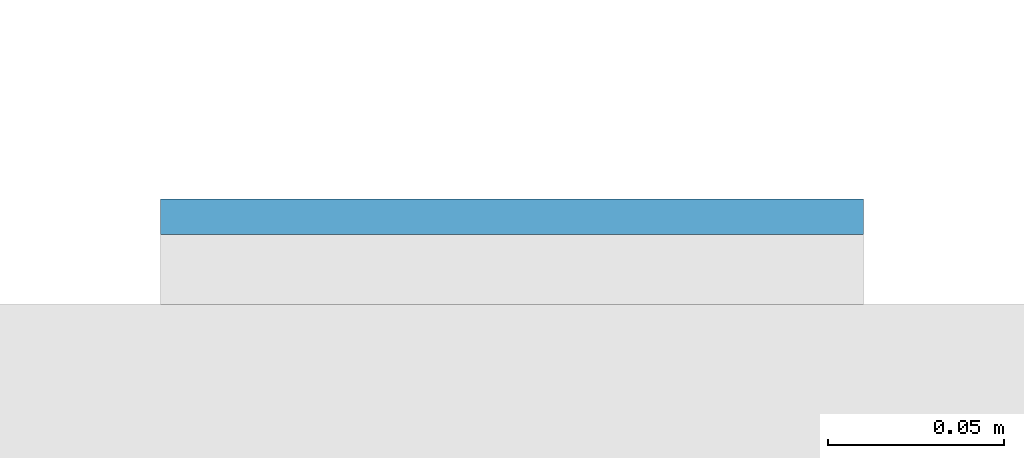
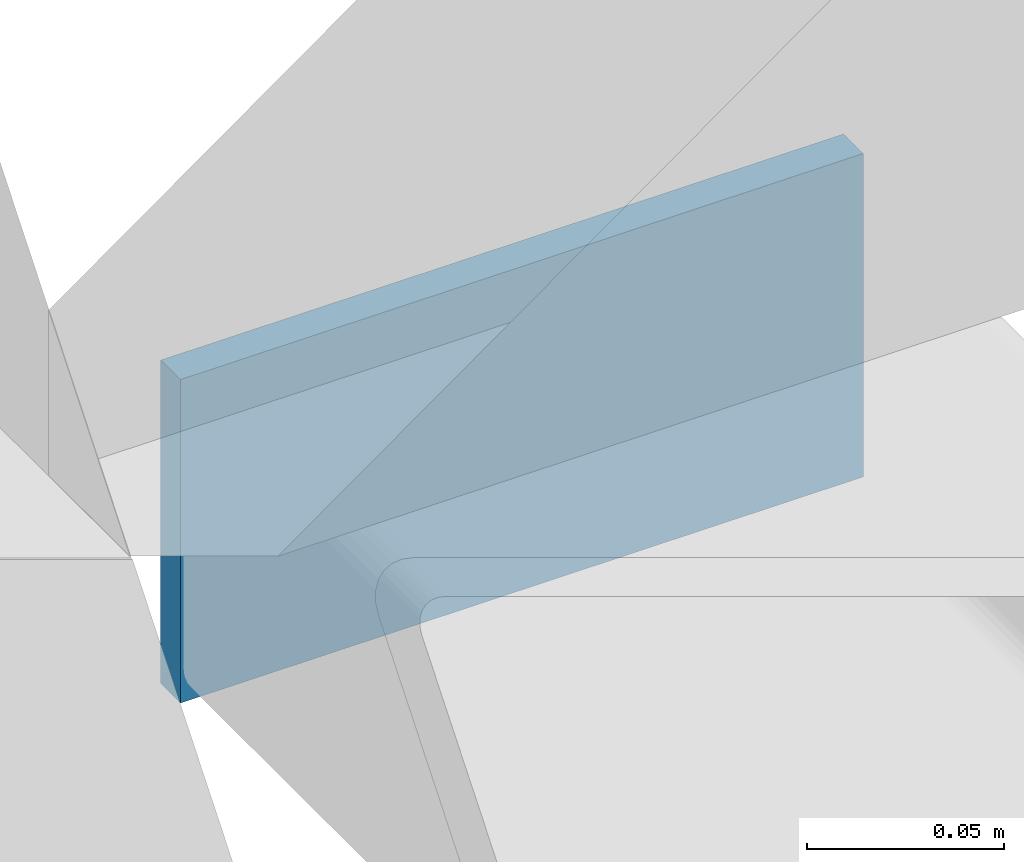
# One storey, part 11 of 20: 1 plate.
"""IFC4 building model written with IfcOpenShell, lengths in metres."""

from ifc_helpers import new_model, si_unit, direction, frame, origin, origin_2d, place, context, subcontext, project, spatial, rectangle, extrude, material, layer, layer_set, type_object, element, save


model = new_model("IFC4")

# Units and contexts
model_context = context("Model", 3, precision=1e-05, world=origin(), true_north=direction((0.0, 1.0)))
body_context = subcontext(model_context, "Body", "Model", "MODEL_VIEW")
ifc_project = project(units=[si_unit("LENGTHUNIT", "METRE"), si_unit("AREAUNIT", "SQUARE_METRE"), si_unit("VOLUMEUNIT", "CUBIC_METRE"), si_unit("PLANEANGLEUNIT", "RADIAN"), si_unit("MASSUNIT", "GRAM", prefix="KILO")], contexts=[model_context])

# Site, building, storey
site_placement = place(None, origin())
site = spatial("IfcSite", under=ifc_project, at=site_placement, CompositionType="ELEMENT")
building_placement = place(site_placement, origin())
building = spatial("IfcBuilding", under=site, at=building_placement, Name="Cleftline Residences", CompositionType="ELEMENT")
storey_placement = place(building_placement, frame((0.0, 0.0, 69.199951171875)))
storey = spatial("IfcBuildingStorey", under=building, at=storey_placement, Name="L17", CompositionType="ELEMENT", Elevation=69.199951171875)

# Plate
ifc_material = material(Name="Steel S355, hot-dip galvanised", Category="steel")
ifc_layer = layer(ifc_material, 0.010009765625)
ifc_layer_set = layer_set([ifc_layer], Name="BAGUETTE CARRIER END PLATE 200X100X10")
plate_type = type_object("IfcPlateType", Name="BAGUETTE CARRIER END PLATE 200X100X10", PredefinedType="USERDEFINED", material=ifc_layer_set)
plate_placement = place(storey_placement, frame((66.85009765625, 44.304931640625, -0.10009765625), z_axis=(0.0, 0.0, 1.0), x_axis=(1.0, 0.0, 0.0)))
element("IfcPlate", 1, at=plate_placement, inside=storey, type_object=plate_type, Name="Baguette carrier end plate", ObjectType="BAGUETTE CARRIER END PLATE", PredefinedType="USERDEFINED", context=body_context, shape_type="SweptSolid", body=[
    extrude(rectangle(XDim=0.199951171875, YDim=0.010009765625, at=origin_2d()), origin(), (0.0, 0.0, 1.0), 0.10009765625),
])

save(model, "model.ifc")
